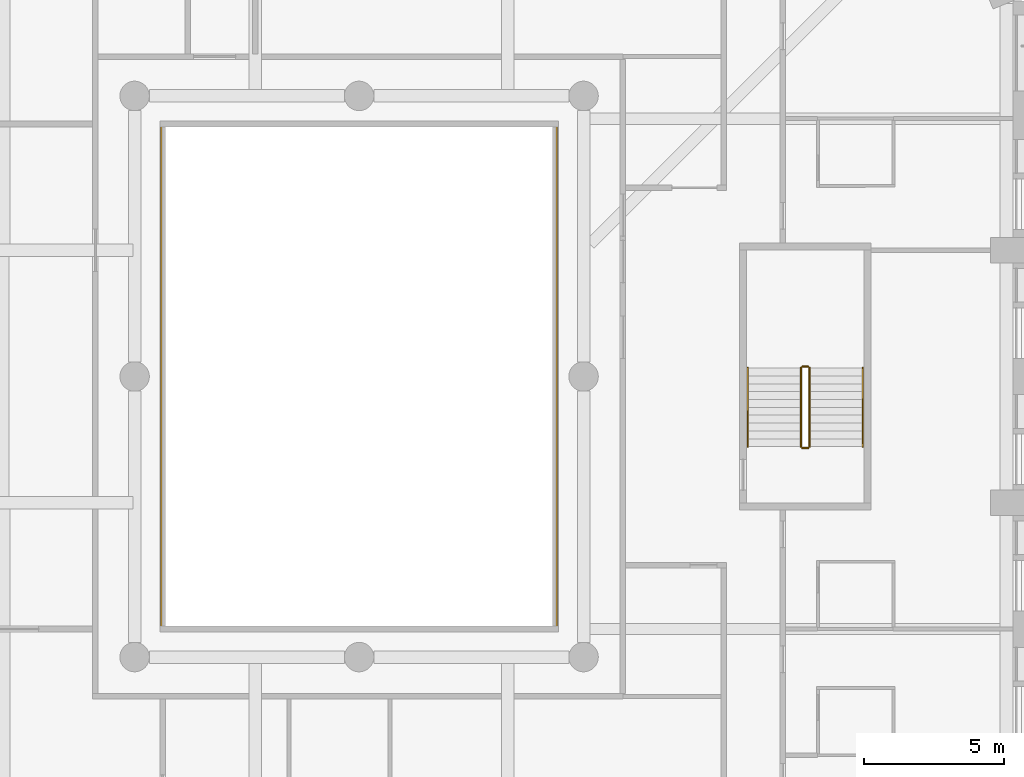
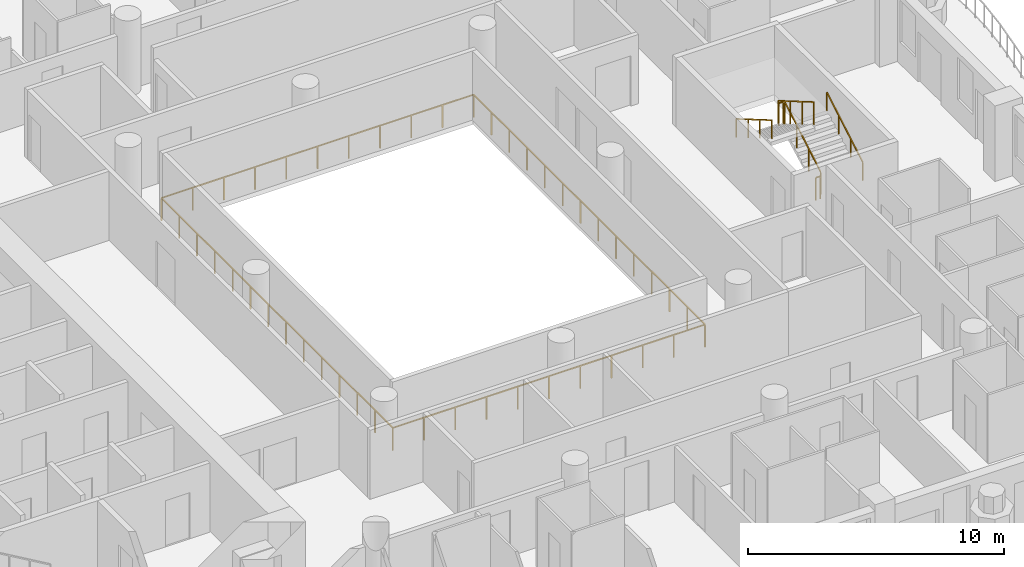
# One storey, part 15 of 20: 7 railings.
"""IFC4 building model written with IfcOpenShell, lengths in metres."""

from ifc_helpers import new_model, si_unit, direction, frame, origin, origin_2d, place, context, subcontext, project, spatial, rectangle, extrude, material, type_object, element, save


model = new_model("IFC4")

# Units and contexts
model_context = context("Model", 3, precision=1e-05, world=origin(), true_north=direction((0.0, 1.0)))
body_context = subcontext(model_context, "Body", "Model", "MODEL_VIEW")
ifc_project = project(units=[si_unit("LENGTHUNIT", "METRE"), si_unit("AREAUNIT", "SQUARE_METRE"), si_unit("VOLUMEUNIT", "CUBIC_METRE"), si_unit("PLANEANGLEUNIT", "RADIAN"), si_unit("MASSUNIT", "GRAM", prefix="KILO")], contexts=[model_context])

# Site, building, storey
site_placement = place(None, origin())
site = spatial("IfcSite", under=ifc_project, at=site_placement, CompositionType="ELEMENT")
building_placement = place(site_placement, origin())
building = spatial("IfcBuilding", under=site, at=building_placement, Name="Cypress Arch Tower", CompositionType="ELEMENT")
storey_placement = place(building_placement, frame((0.0, 0.0, 113.10009765625)))
storey = spatial("IfcBuildingStorey", under=building, at=storey_placement, Name="L23", CompositionType="ELEMENT", Elevation=113.10009765625)

# Railings
ifc_material_1 = material(Name="Stainless steel posts and handrail, laminated glass infill", Category="steel")
railing_type_1 = type_object("IfcRailingType", Name="Atrium guard GR1100A", PredefinedType="GUARDRAIL", material=ifc_material_1)
railing_1_placement = place(storey_placement, frame((8.050048828125, -9.050048828125, 0.0)))
element("IfcRailing", 1, at=railing_1_placement, inside=storey, type_object=railing_type_1, Name="Atrium guard L23", PredefinedType="GUARDRAIL", context=body_context, shape_type="SweptSolid", body=[
    extrude(rectangle(XDim=0.050048828125, YDim=0.050048828125, at=origin_2d()), frame((0.0, 0.0, 1.0751953125), z_axis=(-1.0, 0.0, 0.0), x_axis=(0.0, -1.0, 0.0)), (0.0, 0.0, 1.0), 14.10009765625),
    extrude(rectangle(XDim=0.050048828125, YDim=0.050048828125, at=origin_2d()), frame((-14.10009765625, 0.0, 1.0751953125), z_axis=(0.0, 1.0, 0.0), x_axis=(-1.0, 0.0, 0.0)), (0.0, 0.0, 1.0), 18.10009765625),
    extrude(rectangle(XDim=0.050048828125, YDim=0.050048828125, at=origin_2d()), frame((-14.10009765625, 18.10009765625, 1.0751953125), z_axis=(1.0, 0.0, 0.0), x_axis=(0.0, 1.0, 0.0)), (0.0, 0.0, 1.0), 14.10009765625),
    extrude(rectangle(XDim=0.050048828125, YDim=0.050048828125, at=origin_2d()), frame((0.0, 18.10009765625, 1.0751953125), z_axis=(0.0, -1.0, 0.0), x_axis=(1.0, 0.0, 0.0)), (0.0, 0.0, 1.0), 18.10009765625),
    extrude(rectangle(XDim=0.050048828125, YDim=0.050048828125, at=origin_2d()), origin(), (0.0, 0.0, 1.0), 1.050048828125),
    extrude(rectangle(XDim=0.050048828125, YDim=0.050048828125, at=origin_2d()), frame((-1.409912109375, 0.0, 0.0)), (0.0, 0.0, 1.0), 1.050048828125),
    extrude(rectangle(XDim=0.050048828125, YDim=0.050048828125, at=origin_2d()), frame((-2.820068359375, 0.0, 0.0)), (0.0, 0.0, 1.0), 1.050048828125),
    extrude(rectangle(XDim=0.050048828125, YDim=0.050048828125, at=origin_2d()), frame((-4.22998046875, 0.0, 0.0)), (0.0, 0.0, 1.0), 1.050048828125),
    extrude(rectangle(XDim=0.050048828125, YDim=0.050048828125, at=origin_2d()), frame((-5.64013671875, 0.0, 0.0)), (0.0, 0.0, 1.0), 1.050048828125),
    extrude(rectangle(XDim=0.050048828125, YDim=0.050048828125, at=origin_2d()), frame((-7.050048828125, 0.0, 0.0)), (0.0, 0.0, 1.0), 1.050048828125),
    extrude(rectangle(XDim=0.050048828125, YDim=0.050048828125, at=origin_2d()), frame((-8.4599609375, 0.0, 0.0)), (0.0, 0.0, 1.0), 1.050048828125),
    extrude(rectangle(XDim=0.050048828125, YDim=0.050048828125, at=origin_2d()), frame((-9.8701171875, 0.0, 0.0)), (0.0, 0.0, 1.0), 1.050048828125),
    extrude(rectangle(XDim=0.050048828125, YDim=0.050048828125, at=origin_2d()), frame((-11.280029296875, 0.0, 0.0)), (0.0, 0.0, 1.0), 1.050048828125),
    extrude(rectangle(XDim=0.050048828125, YDim=0.050048828125, at=origin_2d()), frame((-12.690185546875, 0.0, 0.0)), (0.0, 0.0, 1.0), 1.050048828125),
    extrude(rectangle(XDim=0.050048828125, YDim=0.050048828125, at=origin_2d()), frame((-14.10009765625, 0.0, 0.0)), (0.0, 0.0, 1.0), 1.050048828125),
    extrude(rectangle(XDim=0.050048828125, YDim=0.050048828125, at=origin_2d()), frame((-14.10009765625, 1.392333984375, 0.0)), (0.0, 0.0, 1.0), 1.050048828125),
    extrude(rectangle(XDim=0.050048828125, YDim=0.050048828125, at=origin_2d()), frame((-14.10009765625, 2.78466796875, 0.0)), (0.0, 0.0, 1.0), 1.050048828125),
    extrude(rectangle(XDim=0.050048828125, YDim=0.050048828125, at=origin_2d()), frame((-14.10009765625, 4.177001953125, 0.0)), (0.0, 0.0, 1.0), 1.050048828125),
    extrude(rectangle(XDim=0.050048828125, YDim=0.050048828125, at=origin_2d()), frame((-14.10009765625, 5.5693359375, 0.0)), (0.0, 0.0, 1.0), 1.050048828125),
    extrude(rectangle(XDim=0.050048828125, YDim=0.050048828125, at=origin_2d()), frame((-14.10009765625, 6.961669921875, 0.0)), (0.0, 0.0, 1.0), 1.050048828125),
    extrude(rectangle(XDim=0.050048828125, YDim=0.050048828125, at=origin_2d()), frame((-14.10009765625, 8.35400390625, 0.0)), (0.0, 0.0, 1.0), 1.050048828125),
    extrude(rectangle(XDim=0.050048828125, YDim=0.050048828125, at=origin_2d()), frame((-14.10009765625, 9.74609375, 0.0)), (0.0, 0.0, 1.0), 1.050048828125),
    extrude(rectangle(XDim=0.050048828125, YDim=0.050048828125, at=origin_2d()), frame((-14.10009765625, 11.138427734375, 0.0)), (0.0, 0.0, 1.0), 1.050048828125),
    extrude(rectangle(XDim=0.050048828125, YDim=0.050048828125, at=origin_2d()), frame((-14.10009765625, 12.53076171875, 0.0)), (0.0, 0.0, 1.0), 1.050048828125),
    extrude(rectangle(XDim=0.050048828125, YDim=0.050048828125, at=origin_2d()), frame((-14.10009765625, 13.923095703125, 0.0)), (0.0, 0.0, 1.0), 1.050048828125),
    extrude(rectangle(XDim=0.050048828125, YDim=0.050048828125, at=origin_2d()), frame((-14.10009765625, 15.3154296875, 0.0)), (0.0, 0.0, 1.0), 1.050048828125),
    extrude(rectangle(XDim=0.050048828125, YDim=0.050048828125, at=origin_2d()), frame((-14.10009765625, 16.707763671875, 0.0)), (0.0, 0.0, 1.0), 1.050048828125),
    extrude(rectangle(XDim=0.050048828125, YDim=0.050048828125, at=origin_2d()), frame((-14.10009765625, 18.10009765625, 0.0)), (0.0, 0.0, 1.0), 1.050048828125),
    extrude(rectangle(XDim=0.050048828125, YDim=0.050048828125, at=origin_2d()), frame((-12.690185546875, 18.10009765625, 0.0)), (0.0, 0.0, 1.0), 1.050048828125),
    extrude(rectangle(XDim=0.050048828125, YDim=0.050048828125, at=origin_2d()), frame((-11.280029296875, 18.10009765625, 0.0)), (0.0, 0.0, 1.0), 1.050048828125),
    extrude(rectangle(XDim=0.050048828125, YDim=0.050048828125, at=origin_2d()), frame((-9.8701171875, 18.10009765625, 0.0)), (0.0, 0.0, 1.0), 1.050048828125),
    extrude(rectangle(XDim=0.050048828125, YDim=0.050048828125, at=origin_2d()), frame((-8.4599609375, 18.10009765625, 0.0)), (0.0, 0.0, 1.0), 1.050048828125),
    extrude(rectangle(XDim=0.050048828125, YDim=0.050048828125, at=origin_2d()), frame((-7.050048828125, 18.10009765625, 0.0)), (0.0, 0.0, 1.0), 1.050048828125),
    extrude(rectangle(XDim=0.050048828125, YDim=0.050048828125, at=origin_2d()), frame((-5.64013671875, 18.10009765625, 0.0)), (0.0, 0.0, 1.0), 1.050048828125),
    extrude(rectangle(XDim=0.050048828125, YDim=0.050048828125, at=origin_2d()), frame((-4.22998046875, 18.10009765625, 0.0)), (0.0, 0.0, 1.0), 1.050048828125),
    extrude(rectangle(XDim=0.050048828125, YDim=0.050048828125, at=origin_2d()), frame((-2.820068359375, 18.10009765625, 0.0)), (0.0, 0.0, 1.0), 1.050048828125),
    extrude(rectangle(XDim=0.050048828125, YDim=0.050048828125, at=origin_2d()), frame((-1.409912109375, 18.10009765625, 0.0)), (0.0, 0.0, 1.0), 1.050048828125),
    extrude(rectangle(XDim=0.050048828125, YDim=0.050048828125, at=origin_2d()), frame((0.0, 18.10009765625, 0.0)), (0.0, 0.0, 1.0), 1.050048828125),
    extrude(rectangle(XDim=0.050048828125, YDim=0.050048828125, at=origin_2d()), frame((0.0, 16.707763671875, 0.0)), (0.0, 0.0, 1.0), 1.050048828125),
    extrude(rectangle(XDim=0.050048828125, YDim=0.050048828125, at=origin_2d()), frame((0.0, 15.3154296875, 0.0)), (0.0, 0.0, 1.0), 1.050048828125),
    extrude(rectangle(XDim=0.050048828125, YDim=0.050048828125, at=origin_2d()), frame((0.0, 13.923095703125, 0.0)), (0.0, 0.0, 1.0), 1.050048828125),
    extrude(rectangle(XDim=0.050048828125, YDim=0.050048828125, at=origin_2d()), frame((0.0, 12.53076171875, 0.0)), (0.0, 0.0, 1.0), 1.050048828125),
    extrude(rectangle(XDim=0.050048828125, YDim=0.050048828125, at=origin_2d()), frame((0.0, 11.138427734375, 0.0)), (0.0, 0.0, 1.0), 1.050048828125),
    extrude(rectangle(XDim=0.050048828125, YDim=0.050048828125, at=origin_2d()), frame((0.0, 9.74609375, 0.0)), (0.0, 0.0, 1.0), 1.050048828125),
    extrude(rectangle(XDim=0.050048828125, YDim=0.050048828125, at=origin_2d()), frame((0.0, 8.35400390625, 0.0)), (0.0, 0.0, 1.0), 1.050048828125),
    extrude(rectangle(XDim=0.050048828125, YDim=0.050048828125, at=origin_2d()), frame((0.0, 6.961669921875, 0.0)), (0.0, 0.0, 1.0), 1.050048828125),
    extrude(rectangle(XDim=0.050048828125, YDim=0.050048828125, at=origin_2d()), frame((0.0, 5.5693359375, 0.0)), (0.0, 0.0, 1.0), 1.050048828125),
    extrude(rectangle(XDim=0.050048828125, YDim=0.050048828125, at=origin_2d()), frame((0.0, 4.177001953125, 0.0)), (0.0, 0.0, 1.0), 1.050048828125),
    extrude(rectangle(XDim=0.050048828125, YDim=0.050048828125, at=origin_2d()), frame((0.0, 2.78466796875, 0.0)), (0.0, 0.0, 1.0), 1.050048828125),
    extrude(rectangle(XDim=0.050048828125, YDim=0.050048828125, at=origin_2d()), frame((0.0, 1.392333984375, 0.0)), (0.0, 0.0, 1.0), 1.050048828125),
])
ifc_material_2 = material(Name="Black powder-coated steel square bar 48 mm", Category="steel")
railing_type_2 = type_object("IfcRailingType", Name="Stair handrail HR1", PredefinedType="HANDRAIL", material=ifc_material_2)
railing_2_placement = place(storey_placement, frame((18.949951171875, -2.5, 0.16357421875)))
element("IfcRailing", 2, at=railing_2_placement, inside=storey, type_object=railing_type_2, Name="L23 C stair handrail 1", PredefinedType="HANDRAIL", context=body_context, shape_type="SweptSolid", body=[
    extrude(rectangle(XDim=0.048095703125, YDim=0.048095703125, at=origin_2d()), frame((0.0, 0.0, 0.8759765625), z_axis=(0.0, 0.863393664356, 0.504530851732), x_axis=(-1.0, 0.0, 0.0)), (0.0, 0.0, 1.0), 3.2431640625),
    extrude(rectangle(XDim=0.0419921875, YDim=0.0419921875, at=origin_2d()), origin(), (0.0, 0.0, 1.0), 0.851806640625),
    extrude(rectangle(XDim=0.0419921875, YDim=0.0419921875, at=origin_2d()), frame((0.0, 0.933349609375, 0.54541015625)), (0.0, 0.0, 1.0), 0.851806640625),
    extrude(rectangle(XDim=0.0419921875, YDim=0.0419921875, at=origin_2d()), frame((0.0, 1.86669921875, 1.0908203125)), (0.0, 0.0, 1.0), 0.851806640625),
    extrude(rectangle(XDim=0.0419921875, YDim=0.0419921875, at=origin_2d()), frame((0.0, 2.800048828125, 1.63623046875)), (0.0, 0.0, 1.0), 0.851806640625),
])
railing_3_placement = place(storey_placement, frame((14.85009765625, 0.300048828125, 1.963623046875)))
element("IfcRailing", 3, at=railing_3_placement, inside=storey, type_object=railing_type_2, Name="L23 C stair handrail 2", PredefinedType="HANDRAIL", context=body_context, shape_type="SweptSolid", body=[
    extrude(rectangle(XDim=0.048095703125, YDim=0.048095703125, at=origin_2d()), frame((0.0, 0.0, 0.8759765625), z_axis=(0.0, -0.863393664356, 0.504530851732), x_axis=(1.0, 0.0, 0.0)), (0.0, 0.0, 1.0), 3.2431640625),
    extrude(rectangle(XDim=0.0419921875, YDim=0.0419921875, at=origin_2d()), origin(), (0.0, 0.0, 1.0), 0.851806640625),
    extrude(rectangle(XDim=0.0419921875, YDim=0.0419921875, at=origin_2d()), frame((0.0, -0.933349609375, 0.54541015625)), (0.0, 0.0, 1.0), 0.851806640625),
    extrude(rectangle(XDim=0.0419921875, YDim=0.0419921875, at=origin_2d()), frame((0.0, -1.86669921875, 1.0908203125)), (0.0, 0.0, 1.0), 0.851806640625),
    extrude(rectangle(XDim=0.0419921875, YDim=0.0419921875, at=origin_2d()), frame((0.0, -2.800048828125, 1.63623046875)), (0.0, 0.0, 1.0), 0.851806640625),
])
ifc_material_3 = material(Name="Black powder-coated steel balusters", Category="steel")
railing_type_3 = type_object("IfcRailingType", Name="Stair well guard G1", PredefinedType="GUARDRAIL", material=ifc_material_3)
railing_4_placement = place(storey_placement, frame((17.050048828125, -2.5, 0.16357421875)))
element("IfcRailing", 4, at=railing_4_placement, inside=storey, type_object=railing_type_3, Name="L23 C stair guard 1", PredefinedType="GUARDRAIL", context=body_context, shape_type="SweptSolid", body=[
    extrude(rectangle(XDim=0.048095703125, YDim=0.048095703125, at=origin_2d()), frame((0.0, 0.0, 1.076171875), z_axis=(0.0, 0.863393664356, 0.504530851732), x_axis=(-1.0, 0.0, 0.0)), (0.0, 0.0, 1.0), 3.2431640625),
    extrude(rectangle(XDim=0.0419921875, YDim=0.0419921875, at=origin_2d()), origin(), (0.0, 0.0, 1.0), 1.052001953125),
    extrude(rectangle(XDim=0.0419921875, YDim=0.0419921875, at=origin_2d()), frame((0.0, 0.933349609375, 0.54541015625)), (0.0, 0.0, 1.0), 1.052001953125),
    extrude(rectangle(XDim=0.0419921875, YDim=0.0419921875, at=origin_2d()), frame((0.0, 1.86669921875, 1.0908203125)), (0.0, 0.0, 1.0), 1.052001953125),
    extrude(rectangle(XDim=0.0419921875, YDim=0.0419921875, at=origin_2d()), frame((0.0, 2.800048828125, 1.63623046875)), (0.0, 0.0, 1.0), 1.052001953125),
])
railing_5_placement = place(storey_placement, frame((17.0, 0.35009765625, 1.7998046875)))
element("IfcRailing", 5, at=railing_5_placement, inside=storey, type_object=railing_type_3, Name="L23 C stair guard 2", PredefinedType="GUARDRAIL", context=body_context, shape_type="SweptSolid", body=[
    extrude(rectangle(XDim=0.048095703125, YDim=0.048095703125, at=origin_2d()), frame((0.0, 0.0, 1.076171875), z_axis=(-1.0, 0.0, 0.0), x_axis=(0.0, -1.0, 0.0)), (0.0, 0.0, 1.0), 0.199951171875),
    extrude(rectangle(XDim=0.0419921875, YDim=0.0419921875, at=origin_2d()), origin(), (0.0, 0.0, 1.0), 1.052001953125),
    extrude(rectangle(XDim=0.0419921875, YDim=0.0419921875, at=origin_2d()), frame((-0.199951171875, 0.0, 0.0)), (0.0, 0.0, 1.0), 1.052001953125),
])
railing_6_placement = place(storey_placement, frame((16.75, 0.300048828125, 1.963623046875)))
element("IfcRailing", 6, at=railing_6_placement, inside=storey, type_object=railing_type_3, Name="L23 C stair guard 3", PredefinedType="GUARDRAIL", context=body_context, shape_type="SweptSolid", body=[
    extrude(rectangle(XDim=0.048095703125, YDim=0.048095703125, at=origin_2d()), frame((0.0, 0.0, 1.076171875), z_axis=(0.0, -0.863393664356, 0.504530851732), x_axis=(1.0, 0.0, 0.0)), (0.0, 0.0, 1.0), 3.2431640625),
    extrude(rectangle(XDim=0.0419921875, YDim=0.0419921875, at=origin_2d()), origin(), (0.0, 0.0, 1.0), 1.052001953125),
    extrude(rectangle(XDim=0.0419921875, YDim=0.0419921875, at=origin_2d()), frame((0.0, -0.933349609375, 0.54541015625)), (0.0, 0.0, 1.0), 1.052001953125),
    extrude(rectangle(XDim=0.0419921875, YDim=0.0419921875, at=origin_2d()), frame((0.0, -1.86669921875, 1.0908203125)), (0.0, 0.0, 1.0), 1.052001953125),
    extrude(rectangle(XDim=0.0419921875, YDim=0.0419921875, at=origin_2d()), frame((0.0, -2.800048828125, 1.63623046875)), (0.0, 0.0, 1.0), 1.052001953125),
])
railing_7_placement = place(storey_placement, frame((17.0, -2.550048828125, 0.0)))
element("IfcRailing", 7, at=railing_7_placement, inside=storey, type_object=railing_type_3, Name="L23 C stair guard 4", PredefinedType="GUARDRAIL", context=body_context, shape_type="SweptSolid", body=[
    extrude(rectangle(XDim=0.048095703125, YDim=0.048095703125, at=origin_2d()), frame((0.0, 0.0, 1.076171875), z_axis=(-1.0, 0.0, 0.0), x_axis=(0.0, -1.0, 0.0)), (0.0, 0.0, 1.0), 0.199951171875),
    extrude(rectangle(XDim=0.0419921875, YDim=0.0419921875, at=origin_2d()), origin(), (0.0, 0.0, 1.0), 1.052001953125),
    extrude(rectangle(XDim=0.0419921875, YDim=0.0419921875, at=origin_2d()), frame((-0.199951171875, 0.0, 0.0)), (0.0, 0.0, 1.0), 1.052001953125),
])

save(model, "model.ifc")
